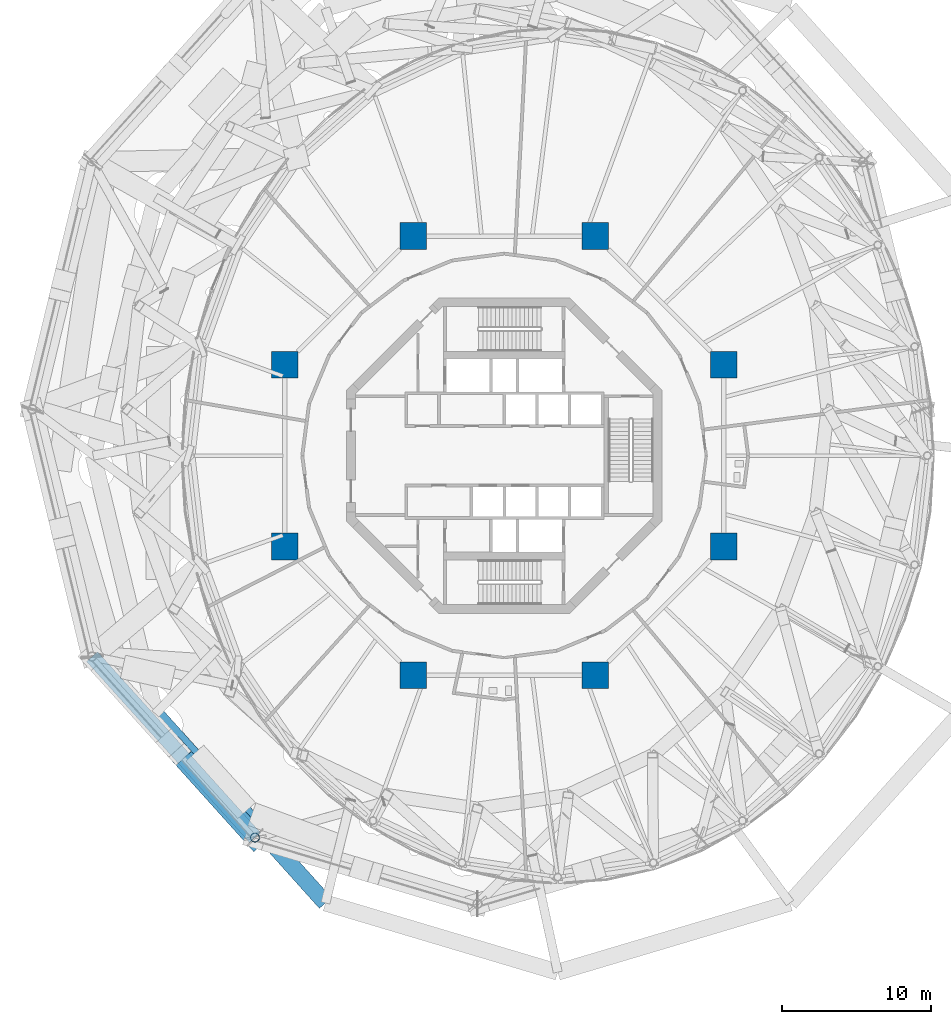
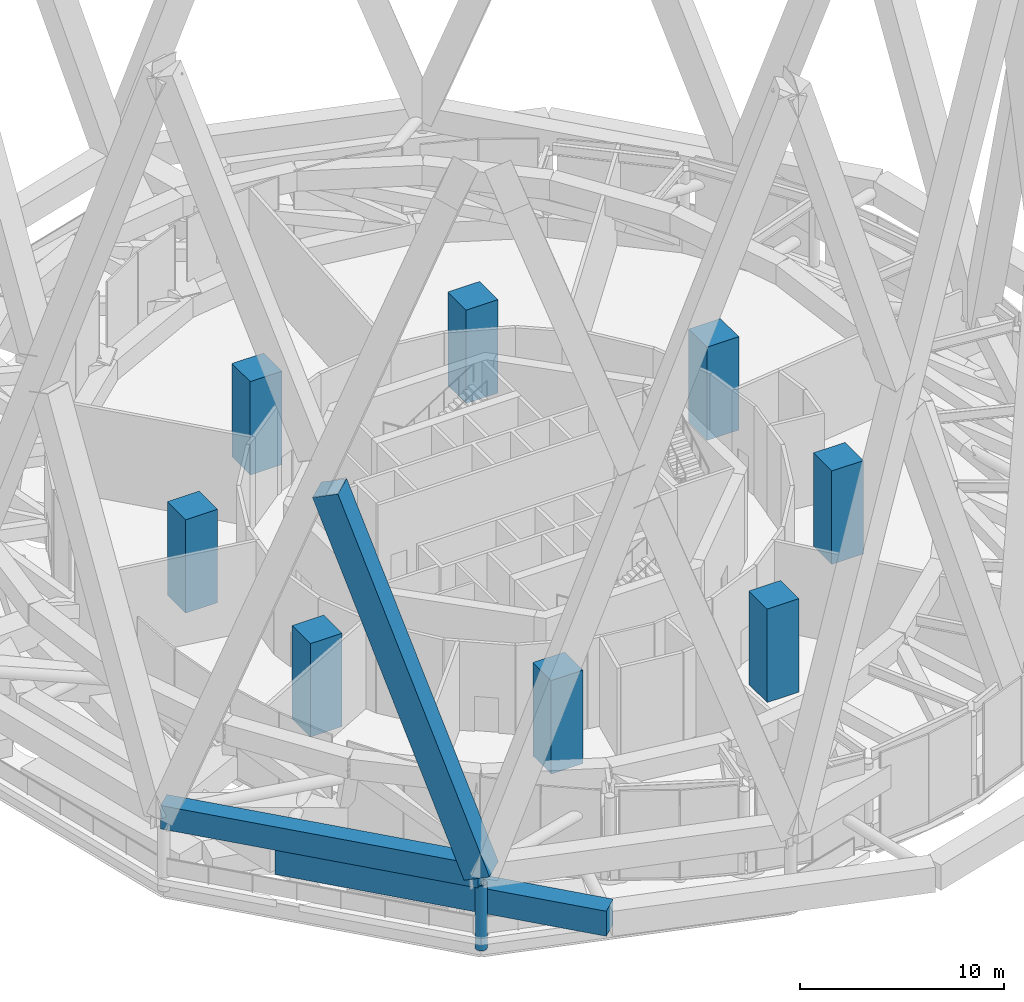
# One storey, part 1 of 60: 8 columns, 4 members.
"""IFC4 building model written with IfcOpenShell, lengths in metres."""

from ifc_helpers import new_model, si_unit, direction, frame, origin, origin_2d, place, context, subcontext, project, spatial, rectangle, hollow_circle, extrude, material, material_profile, profile_set, type_object, element, save


model = new_model("IFC4")

# Units and contexts
model_context = context("Model", 3, precision=1e-05, world=origin(), true_north=direction((0.0, 1.0)))
body_context = subcontext(model_context, "Body", "Model", "MODEL_VIEW")
ifc_project = project(units=[si_unit("LENGTHUNIT", "METRE"), si_unit("AREAUNIT", "SQUARE_METRE"), si_unit("VOLUMEUNIT", "CUBIC_METRE"), si_unit("PLANEANGLEUNIT", "RADIAN"), si_unit("MASSUNIT", "GRAM", prefix="KILO")], contexts=[model_context])

# Site, building, storey
site_placement = place(None, origin())
site = spatial("IfcSite", under=ifc_project, at=site_placement, CompositionType="ELEMENT")
building_placement = place(site_placement, origin())
building = spatial("IfcBuilding", under=site, at=building_placement, Name="Nagisa Residences", CompositionType="ELEMENT")
storey_placement = place(building_placement, frame((0.0, 0.0, 206.60009765625)))
storey = spatial("IfcBuildingStorey", under=building, at=storey_placement, Name="L52", CompositionType="ELEMENT", Elevation=206.60009765625)

# Columns
ifc_material_1 = material(Name="Concrete C80", Category="concrete")
ifc_material_profile_1 = material_profile(ifc_material_1, rectangle(XDim=1.800048828125, YDim=1.800048828125, at=origin_2d()), Name="C80 1800x1800")
ifc_profile_set_1 = profile_set([ifc_material_profile_1], Name="Concrete C80")
column_type = type_object("IfcColumnType", Name="Inner megacolumn C80 1800x1800", PredefinedType="COLUMN", material=ifc_profile_set_1)
for number, where, z_axis, x_axis, name in (
    (1, (14.781982421875, 6.123046875, 0.0), (0.0, 0.0, 1.0), (1.0, 0.0, 0.0), "col:L52:i1"),
    (2, (6.123046875, 14.781982421875, 0.0), (0.0, 0.0, 1.0), (1.0, 0.0, 0.0), "col:L52:i2"),
    (3, (-6.123046875, 14.781982421875, 0.0), (0.0, 0.0, 1.0), (1.0, 0.0, 0.0), "col:L52:i3"),
    (4, (-14.781982421875, 6.123046875, 0.0), (0.0, 0.0, 1.0), (1.0, 0.0, 0.0), "col:L52:i4"),
    (5, (-14.781982421875, -6.123046875, 0.0), (0.0, 0.0, 1.0), (1.0, 0.0, 0.0), "col:L52:i5"),
    (6, (-6.123046875, -14.781982421875, 0.0), (0.0, 0.0, 1.0), (1.0, 0.0, 0.0), "col:L52:i6"),
    (7, (6.123046875, -14.781982421875, 0.0), (0.0, 0.0, 1.0), (1.0, 0.0, 0.0), "col:L52:i7"),
    (8, (14.781982421875, -6.123046875, 0.0), (0.0, 0.0, 1.0), (1.0, 0.0, 0.0), "col:L52:i8"),
):
    element("IfcColumn", number, at=place(storey_placement, frame(where, z_axis=z_axis, x_axis=x_axis)), inside=storey, type_object=column_type, Name=name, PredefinedType="COLUMN", context=body_context, shape_type="SweptSolid", body=[
        extrude(rectangle(XDim=1.800048828125, YDim=1.800048828125, at=origin_2d()), origin(), (0.0, 0.0, 1.0), 5.599853515625),
    ])

# Members
ifc_material_2 = material(Name="Concrete C80", Category="concrete")
ifc_material_profile_2 = material_profile(ifc_material_2, rectangle(XDim=1.39990234375, YDim=1.39990234375, at=origin_2d()), Name="C80 1400x1400")
ifc_profile_set_2 = profile_set([ifc_material_profile_2], Name="Concrete C80")
member_type_1 = type_object("IfcMemberType", Name="Cage diagonal 5 C80 1400x1400", PredefinedType="BRACE", material=ifc_profile_set_2)
member_1_placement = place(storey_placement, frame((-16.784912109375, -25.71240234375, 3.699951171875), z_axis=(-0.231313191594, 0.256941611182, 0.938336408671), x_axis=(-0.743199585943, -0.669069783696, 0.0)))
element("IfcMember", 9, at=member_1_placement, inside=storey, type_object=member_type_1, Name="mem:L52:cg5d016a", PredefinedType="BRACE", context=body_context, shape_type="SweptSolid", body=[
    extrude(rectangle(XDim=1.39990234375, YDim=1.39990234375, at=origin_2d()), origin(), (0.0, 0.0, 1.0), 22.6533203125),
])
ifc_material_3 = material(Name="Concrete C80", Category="concrete")
ifc_material_profile_3 = material_profile(ifc_material_3, rectangle(XDim=1.10009765625, YDim=1.5, at=origin_2d()), Name="C80 1100x1500")
ifc_profile_set_3 = profile_set([ifc_material_profile_3], Name="Concrete C80")
member_type_2 = type_object("IfcMemberType", Name="Cage ring 4 C80 1100x1500", PredefinedType="CHORD", material=ifc_profile_set_3)
member_2_placement = place(storey_placement, frame((-23.48486328125, -17.387451171875, 1.89990234375), z_axis=(0.668693639679, -0.743538039547, 0.0), x_axis=(0.743538039547, 0.668693639679, 0.0)))
element("IfcMember", 10, at=member_2_placement, inside=storey, type_object=member_type_2, Name="beam:L52:cg4r108", PredefinedType="CHORD", context=body_context, shape_type="SweptSolid", body=[
    extrude(rectangle(XDim=1.10009765625, YDim=1.5, at=origin_2d()), origin(), (0.0, 0.0, 1.0), 17.118896484375),
])
ifc_material_4 = material(Name="Concrete C80", Category="concrete")
ifc_material_profile_4 = material_profile(ifc_material_4, rectangle(XDim=1.0, YDim=1.39990234375, at=origin_2d()), Name="C80 1000x1400")
ifc_profile_set_4 = profile_set([ifc_material_profile_4], Name="Concrete C80")
member_type_3 = type_object("IfcMemberType", Name="Cage ring 5 C80 1000x1400", PredefinedType="CHORD", material=ifc_profile_set_4)
member_3_placement = place(storey_placement, frame((-27.7548828125, -13.52734375, 3.699951171875), z_axis=(0.669079899601, -0.743190478915, 0.0), x_axis=(0.743190478915, 0.669079899601, 0.0)))
element("IfcMember", 11, at=member_3_placement, inside=storey, type_object=member_type_3, Name="beam:L52:cg5r008", PredefinedType="CHORD", context=body_context, shape_type="SweptSolid", body=[
    extrude(rectangle(XDim=1.0, YDim=1.39990234375, at=origin_2d()), origin(), (0.0, 0.0, 1.0), 16.3955078125),
])
ifc_material_5 = material(Name="Steel ASTM A572 Gr 65", Category="steel")
ifc_material_profile_5 = material_profile(ifc_material_5, hollow_circle(Radius=0.304931640625, WallThickness=0.02490234375, at=origin_2d()), Name="CHS 610x25")
ifc_profile_set_5 = profile_set([ifc_material_profile_5], Name="Steel ASTM A572 Gr 65")
member_type_4 = type_object("IfcMemberType", Name="Deck hanger CHS 610x25", PredefinedType="POST", material=ifc_profile_set_5)
member_4_placement = place(storey_placement, frame((-16.784912109375, -25.71240234375, 3.0), z_axis=(0.0, 0.0, -1.0), x_axis=(1.0, 0.0, 0.0)))
element("IfcMember", 12, at=member_4_placement, inside=storey, type_object=member_type_4, Name="mem:L52:deckhanger08", PredefinedType="POST", context=body_context, shape_type="SweptSolid", body=[
    extrude(hollow_circle(Radius=0.304931640625, WallThickness=0.02490234375, at=origin_2d()), origin(), (0.0, 0.0, 1.0), 3.89013671875),
])

save(model, "model.ifc")
